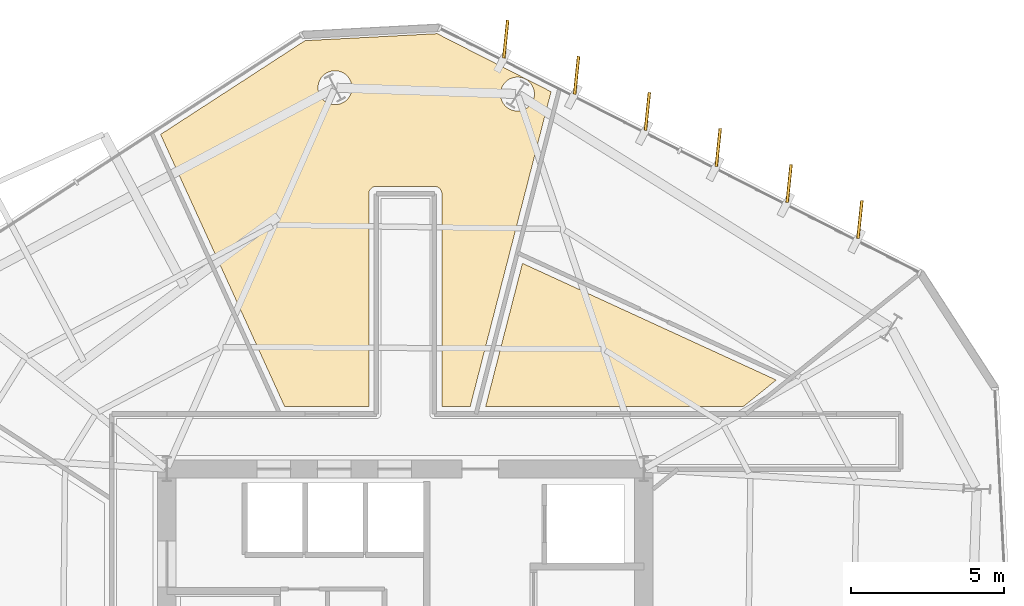
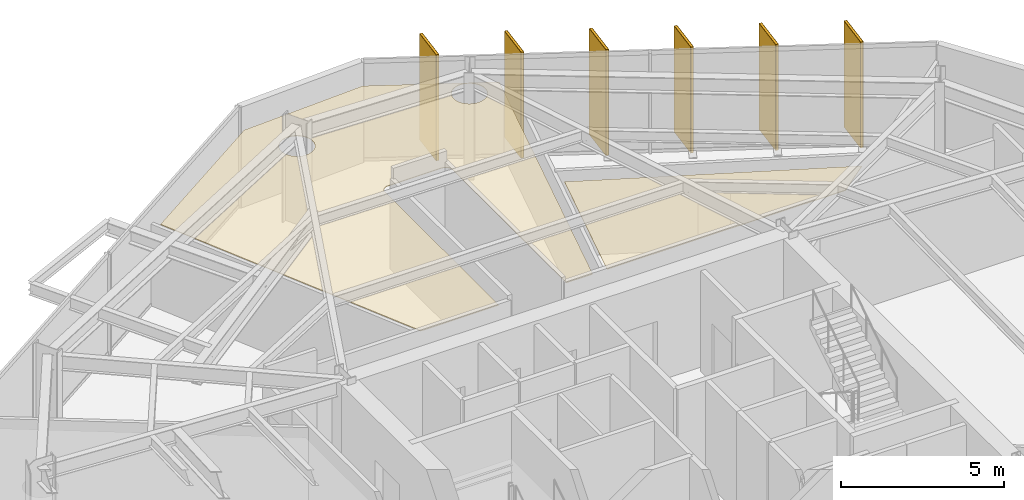
# One storey, part 12 of 12: 8 coverings, 6 shading devices.
"""IFC4 building model written with IfcOpenShell, lengths in metres."""

from ifc_helpers import new_model, si_unit, direction, frame, origin, origin_2d, place, context, subcontext, project, spatial, polyline, rectangle, outline, extrude, material, layer, layer_set, type_object, element, save


model = new_model("IFC4")

# Units and contexts
model_context = context("Model", 3, precision=1e-05, world=origin(), true_north=direction((0.0, 1.0)))
body_context = subcontext(model_context, "Body", "Model", "MODEL_VIEW")
ifc_project = project(units=[si_unit("LENGTHUNIT", "METRE"), si_unit("AREAUNIT", "SQUARE_METRE"), si_unit("VOLUMEUNIT", "CUBIC_METRE"), si_unit("PLANEANGLEUNIT", "RADIAN"), si_unit("MASSUNIT", "GRAM", prefix="KILO")], contexts=[model_context])

# Site, building, storey
site_placement = place(None, origin())
site = spatial("IfcSite", under=ifc_project, at=site_placement, CompositionType="ELEMENT")
building_placement = place(site_placement, origin())
building = spatial("IfcBuilding", under=site, at=building_placement, Name="Kranzbogen Civic Tower", CompositionType="ELEMENT")
storey_placement = place(building_placement, frame((0.0, 0.0, 154.39990234375)))
storey = spatial("IfcBuildingStorey", under=building, at=storey_placement, Name="L37", CompositionType="ELEMENT", Elevation=154.39990234375)

# Coverings
ifc_material_1 = material(Name="Pale Anodised Aluminium", Category="aluminium")
ifc_layer_1 = layer(ifc_material_1, 0.02490234375, Name="Pale Anodised Aluminium")
ifc_layer_set_1 = layer_set([ifc_layer_1], Name="Pale Anodised Aluminium")
covering_type_1 = type_object("IfcCoveringType", Name="Anodised Aluminium Vertical Fin Cladding 25 mm", PredefinedType="CLADDING", material=ifc_layer_set_1)
for number, where, z_axis, x_axis, name in (
    (1, (39.867919921875, 40.35791015625, -0.139892578125), (0.0, 0.0, 1.0), (0.103816771622, 0.994596439733, 0.0), "L37 vertical fin pale-metal cladding F1-1"),
    (2, (37.552001953125, 41.5380859375, -0.139892578125), (0.0, 0.0, 1.0), (0.103816771622, 0.994596439733, 0.0), "L37 vertical fin pale-metal cladding F1-2"),
    (3, (35.235107421875, 42.718017578125, -0.139892578125), (0.0, 0.0, 1.0), (0.103816771622, 0.994596439733, 0.0), "L37 vertical fin pale-metal cladding F1-3"),
    (4, (32.91796875, 43.89892578125, -0.139892578125), (0.0, 0.0, 1.0), (0.103816771622, 0.994596439733, 0.0), "L37 vertical fin pale-metal cladding F1-4"),
    (5, (30.60205078125, 45.0791015625, -0.139892578125), (0.0, 0.0, 1.0), (0.103816771622, 0.994596439733, 0.0), "L37 vertical fin pale-metal cladding F1-5"),
    (6, (28.284912109375, 46.259033203125, -0.139892578125), (0.0, 0.0, 1.0), (0.103816771622, 0.994596439733, 0.0), "L37 vertical fin pale-metal cladding F1-6"),
):
    element("IfcCovering", number, at=place(storey_placement, frame(where, z_axis=z_axis, x_axis=x_axis)), inside=storey, type_object=covering_type_1, Name=name, PredefinedType="CLADDING", context=body_context, shape_type="SweptSolid", body=[
        extrude(rectangle(XDim=1.25, YDim=0.10009765625, at=origin_2d()), origin(), (0.0, 0.0, 1.0), 3.9599609375),
    ])

# Shading devices
ifc_material_2 = material(Name="Anodised Bronze Aluminium", Category="aluminium")
shading_device_type = type_object("IfcShadingDeviceType", Name="Anodised Bronze Vertical Facade Fin 1250x80", PredefinedType="USERDEFINED", material=ifc_material_2)
for number, where, z_axis, x_axis, name in (
    (7, (39.867919921875, 40.35791015625, -0.139892578125), (0.0, 0.0, 1.0), (0.103816771622, 0.994596439733, 0.0), "L37 vertical exterior shading fin F1-1"),
    (8, (37.552001953125, 41.5380859375, -0.139892578125), (0.0, 0.0, 1.0), (0.103816771622, 0.994596439733, 0.0), "L37 vertical exterior shading fin F1-2"),
    (9, (35.235107421875, 42.718017578125, -0.139892578125), (0.0, 0.0, 1.0), (0.103816771622, 0.994596439733, 0.0), "L37 vertical exterior shading fin F1-3"),
    (10, (32.91796875, 43.89892578125, -0.139892578125), (0.0, 0.0, 1.0), (0.103816771622, 0.994596439733, 0.0), "L37 vertical exterior shading fin F1-4"),
    (11, (30.60205078125, 45.0791015625, -0.139892578125), (0.0, 0.0, 1.0), (0.103816771622, 0.994596439733, 0.0), "L37 vertical exterior shading fin F1-5"),
    (12, (28.284912109375, 46.259033203125, -0.139892578125), (0.0, 0.0, 1.0), (0.103816771622, 0.994596439733, 0.0), "L37 vertical exterior shading fin F1-6"),
):
    element("IfcShadingDevice", number, at=place(storey_placement, frame(where, z_axis=z_axis, x_axis=x_axis)), inside=storey, type_object=shading_device_type, Name=name, ObjectType="FIN", PredefinedType="USERDEFINED", context=body_context, shape_type="SweptSolid", body=[
        extrude(rectangle(XDim=1.25, YDim=0.080078125, at=origin_2d()), origin(), (0.0, 0.0, 1.0), 3.9599609375),
    ])

# Coverings
ifc_material_3 = material(Name="Perforated Acoustic Gypsum Ceiling")
ifc_layer_2 = layer(ifc_material_3, 0.02490234375, Name="Perforated Acoustic Gypsum Ceiling")
ifc_layer_set_2 = layer_set([ifc_layer_2], Name="Perforated Acoustic Gypsum Ceiling")
covering_type_2 = type_object("IfcCoveringType", Name="Perforated Acoustic Mineral Ceiling Tile 25 mm", PredefinedType="CEILING", material=ifc_layer_set_2)
covering_1_placement = place(storey_placement, frame((0.0, 0.0, 2.900146484375)))
element("IfcCovering", 13, at=covering_1_placement, inside=storey, type_object=covering_type_2, Name="L37 Municipal Exhibition Showroom acoustic ceiling", PredefinedType="CEILING", context=body_context, shape_type="SweptSolid", body=[
    extrude(outline(polyline([(27.6279296875, 34.2451171875), (28.8310546875, 38.927978515625), (37.131103515625, 35.112060546875), (36.056884765625, 34.2451171875), (27.6279296875, 34.2451171875)])), origin(), (0.0, 0.0, 1.0), 0.02490234375),
])
covering_2_placement = place(storey_placement, frame((0.0, 0.0, 2.900146484375)))
element("IfcCovering", 14, at=covering_2_placement, inside=storey, type_object=covering_type_2, Name="L37 Civic Reference Library acoustic ceiling", PredefinedType="CEILING", context=body_context, shape_type="SweptSolid", body=[
    extrude(outline(polyline([(26.0419921875, 46.43896484375), (29.76708984375, 44.541015625), (27.1220703125, 34.2451171875), (26.195068359375, 34.2451171875), (26.195068359375, 41.199951171875), (26.195068359375, 41.208984375), (26.194091796875, 41.215087890625), (26.193115234375, 41.23291015625), (26.19189453125, 41.239013671875), (26.18798828125, 41.256103515625), (26.18701171875, 41.262939453125), (26.181884765625, 41.280029296875), (26.179931640625, 41.285888671875), (26.173095703125, 41.302001953125), (26.169921875, 41.30810546875), (26.162109375, 41.322998046875), (26.157958984375, 41.3291015625), (26.14892578125, 41.343017578125), (26.14501953125, 41.347900390625), (26.134033203125, 41.362060546875), (26.12890625, 41.366943359375), (26.116943359375, 41.37890625), (26.112060546875, 41.384033203125), (26.097900390625, 41.39501953125), (26.093017578125, 41.39892578125), (26.0791015625, 41.407958984375), (26.072998046875, 41.412109375), (26.05810546875, 41.419921875), (26.052001953125, 41.423095703125), (26.035888671875, 41.429931640625), (26.030029296875, 41.431884765625), (26.012939453125, 41.43701171875), (26.006103515625, 41.43798828125), (25.989013671875, 41.44189453125), (25.98291015625, 41.443115234375), (25.965087890625, 41.444091796875), (25.958984375, 41.445068359375), (25.949951171875, 41.445068359375), (24.050048828125, 41.445068359375), (24.041015625, 41.445068359375), (24.034912109375, 41.444091796875), (24.01708984375, 41.443115234375), (24.010986328125, 41.44189453125), (23.993896484375, 41.43798828125), (23.987060546875, 41.43701171875), (23.969970703125, 41.431884765625), (23.964111328125, 41.429931640625), (23.947998046875, 41.423095703125), (23.94189453125, 41.419921875), (23.927001953125, 41.412109375), (23.9208984375, 41.407958984375), (23.906982421875, 41.39892578125), (23.902099609375, 41.39501953125), (23.887939453125, 41.384033203125), (23.883056640625, 41.37890625), (23.87109375, 41.366943359375), (23.865966796875, 41.362060546875), (23.85498046875, 41.347900390625), (23.85107421875, 41.343017578125), (23.842041015625, 41.3291015625), (23.837890625, 41.322998046875), (23.830078125, 41.30810546875), (23.826904296875, 41.302001953125), (23.820068359375, 41.285888671875), (23.818115234375, 41.280029296875), (23.81298828125, 41.262939453125), (23.81201171875, 41.256103515625), (23.80810546875, 41.239013671875), (23.806884765625, 41.23291015625), (23.805908203125, 41.215087890625), (23.804931640625, 41.208984375), (23.804931640625, 41.199951171875), (23.804931640625, 34.2451171875), (21.053955078125, 34.2451171875), (16.99609375, 43.14306640625), (21.721923828125, 46.2119140625), (26.0419921875, 46.43896484375)]), holes=[polyline([(23.2109375, 44.4599609375), (23.18798828125, 44.410888671875), (23.159912109375, 44.364013671875), (23.1279296875, 44.320068359375), (23.091064453125, 44.280029296875), (23.051025390625, 44.242919921875), (23.007080078125, 44.2109375), (22.9599609375, 44.18310546875), (22.910888671875, 44.159912109375), (22.860107421875, 44.14208984375), (22.806884765625, 44.1279296875), (22.7529296875, 44.1201171875), (22.698974609375, 44.117919921875), (22.64501953125, 44.1201171875), (22.591064453125, 44.1279296875), (22.5380859375, 44.14208984375), (22.487060546875, 44.159912109375), (22.43798828125, 44.18310546875), (22.39111328125, 44.2109375), (22.346923828125, 44.242919921875), (22.306884765625, 44.280029296875), (22.27001953125, 44.320068359375), (22.238037109375, 44.364013671875), (22.2099609375, 44.410888671875), (22.18701171875, 44.4599609375), (22.1689453125, 44.510986328125), (22.155029296875, 44.56396484375), (22.14697265625, 44.617919921875), (22.14501953125, 44.672119140625), (22.14697265625, 44.72607421875), (22.155029296875, 44.780029296875), (22.1689453125, 44.8330078125), (22.18701171875, 44.884033203125), (22.2099609375, 44.93310546875), (22.238037109375, 44.97998046875), (22.27001953125, 45.02392578125), (22.306884765625, 45.06396484375), (22.346923828125, 45.10107421875), (22.39111328125, 45.133056640625), (22.43798828125, 45.160888671875), (22.487060546875, 45.18408203125), (22.5380859375, 45.201904296875), (22.591064453125, 45.216064453125), (22.64501953125, 45.22412109375), (22.698974609375, 45.22607421875), (22.7529296875, 45.22412109375), (22.806884765625, 45.216064453125), (22.860107421875, 45.201904296875), (22.910888671875, 45.18408203125), (22.9599609375, 45.160888671875), (23.007080078125, 45.133056640625), (23.051025390625, 45.10107421875), (23.091064453125, 45.06396484375), (23.1279296875, 45.02392578125), (23.159912109375, 44.97998046875), (23.18798828125, 44.93310546875), (23.2109375, 44.884033203125), (23.22900390625, 44.8330078125), (23.242919921875, 44.780029296875), (23.2509765625, 44.72607421875), (23.2529296875, 44.672119140625), (23.2509765625, 44.617919921875), (23.242919921875, 44.56396484375), (23.22900390625, 44.510986328125), (23.2109375, 44.4599609375)]), polyline([(29.179931640625, 44.251953125), (29.156982421875, 44.202880859375), (29.12890625, 44.156005859375), (29.096923828125, 44.112060546875), (29.06005859375, 44.072021484375), (29.02001953125, 44.034912109375), (28.97607421875, 44.0029296875), (28.928955078125, 43.97509765625), (28.8798828125, 43.951904296875), (28.8291015625, 43.93408203125), (28.77587890625, 43.919921875), (28.721923828125, 43.912109375), (28.66796875, 43.909912109375), (28.614013671875, 43.912109375), (28.56005859375, 43.919921875), (28.507080078125, 43.93408203125), (28.4560546875, 43.951904296875), (28.406982421875, 43.97509765625), (28.360107421875, 44.0029296875), (28.31591796875, 44.034912109375), (28.27587890625, 44.072021484375), (28.239013671875, 44.112060546875), (28.20703125, 44.156005859375), (28.178955078125, 44.202880859375), (28.156005859375, 44.251953125), (28.137939453125, 44.302978515625), (28.1240234375, 44.35595703125), (28.115966796875, 44.409912109375), (28.114013671875, 44.464111328125), (28.115966796875, 44.51806640625), (28.1240234375, 44.572021484375), (28.137939453125, 44.625), (28.156005859375, 44.676025390625), (28.178955078125, 44.72509765625), (28.20703125, 44.77197265625), (28.239013671875, 44.81591796875), (28.27587890625, 44.85595703125), (28.31591796875, 44.89306640625), (28.360107421875, 44.925048828125), (28.406982421875, 44.952880859375), (28.4560546875, 44.97607421875), (28.507080078125, 44.993896484375), (28.56005859375, 45.008056640625), (28.614013671875, 45.01611328125), (28.66796875, 45.01806640625), (28.721923828125, 45.01611328125), (28.77587890625, 45.008056640625), (28.8291015625, 44.993896484375), (28.8798828125, 44.97607421875), (28.928955078125, 44.952880859375), (28.97607421875, 44.925048828125), (29.02001953125, 44.89306640625), (29.06005859375, 44.85595703125), (29.096923828125, 44.81591796875), (29.12890625, 44.77197265625), (29.156982421875, 44.72509765625), (29.179931640625, 44.676025390625), (29.197998046875, 44.625), (29.2119140625, 44.572021484375), (29.219970703125, 44.51806640625), (29.221923828125, 44.464111328125), (29.219970703125, 44.409912109375), (29.2119140625, 44.35595703125), (29.197998046875, 44.302978515625), (29.179931640625, 44.251953125)])]), origin(), (0.0, 0.0, 1.0), 0.02490234375),
])

save(model, "model.ifc")
